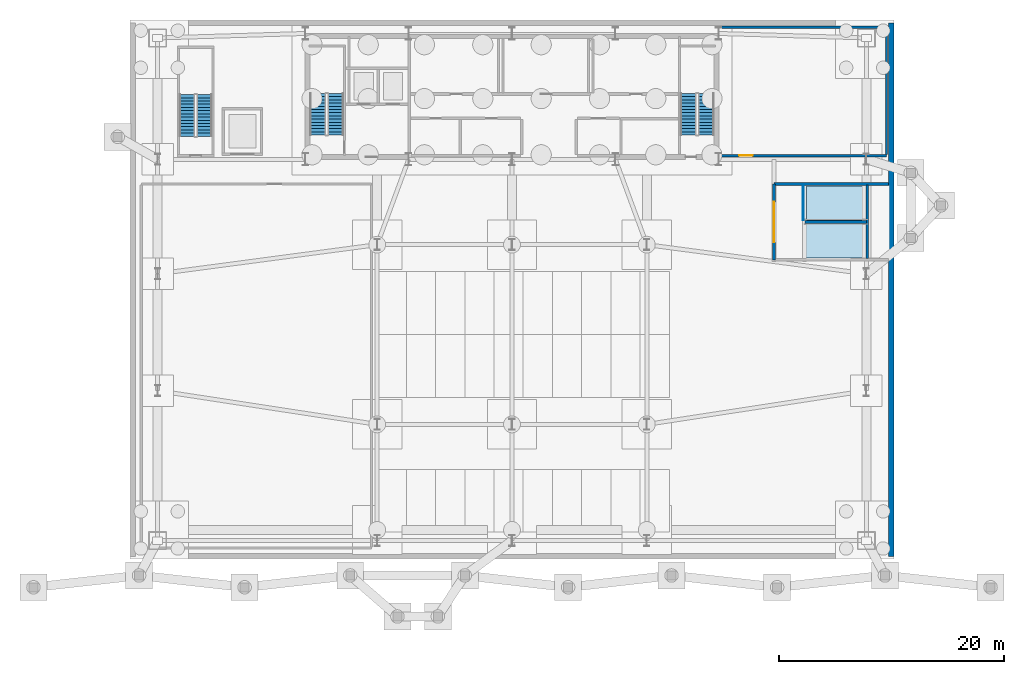
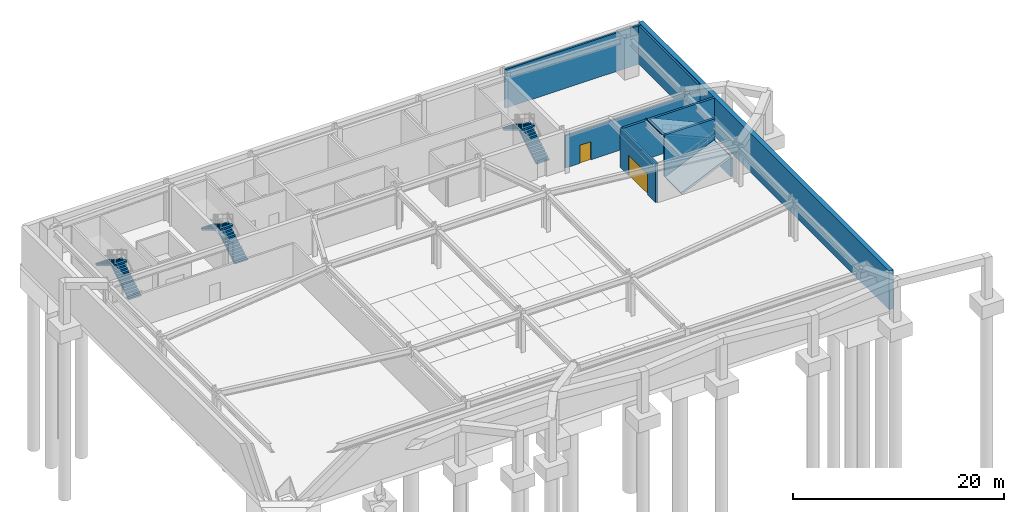
# One storey, part 8 of 12: 8 walls, 6 stair flights, 2 doors, 2 slabs, 1 ramp, 2 openings, 3 elements without a shape of their own.
"""IFC4 building model written with IfcOpenShell, lengths in metres."""

from ifc_helpers import new_model, si_unit, direction, frame, frame_2d, origin, place, context, subcontext, project, spatial, polyline, rectangle, outline, extrude, source, transform, mapped, material, layer, layer_set, type_object, type_shapes, element, fill, aggregate, save


model = new_model("IFC4")

# Units and contexts
model_context = context("Model", 3, precision=1e-05, world=origin(), true_north=direction((0.0, 1.0)))
body_context = subcontext(model_context, "Body", "Model", "MODEL_VIEW")
ifc_project = project(units=[si_unit("LENGTHUNIT", "METRE"), si_unit("AREAUNIT", "SQUARE_METRE"), si_unit("VOLUMEUNIT", "CUBIC_METRE"), si_unit("PLANEANGLEUNIT", "RADIAN"), si_unit("MASSUNIT", "GRAM", prefix="KILO")], contexts=[model_context])

# Slab
ifc_material_1 = material(Name="Concrete CSA A23.3 C40/50", Category="concrete")
ifc_layer_1 = layer(ifc_material_1, 0.25, Name="Concrete CSA A23.3 C40/50")
ifc_layer_set_1 = layer_set([ifc_layer_1], Name="Concrete CSA A23.3 C40/50")
slab_type = type_object("IfcSlabType", Name="Slab_VehicleRampB2", PredefinedType="FLOOR", material=ifc_layer_set_1)
site_placement = place(None, origin())
building_placement = place(site_placement, origin())
storey_placement = place(building_placement, frame((0.0, 0.0, -9.60009765625)))
slab_1_placement = place(storey_placement, frame((60.199951171875, 30.159912109375, 4.800048828125), z_axis=(0.408644061443, 0.0, 0.912693832042), x_axis=(0.0, 1.0, 0.0)))
slab_1 = element("IfcSlab", 1, at=slab_1_placement, type_object=slab_type, Name="B2 Vehicle Ramp Upper Structural Slab", PredefinedType="FLOOR", context=body_context, shape_type="SweptSolid", body=[
    extrude(outline(polyline([(0.0, 0.0), (0.255126953125, 0.0), (0.510009765625, 0.0), (0.76513671875, 0.0), (1.02001953125, 0.0), (1.275146484375, 0.0), (1.530029296875, 0.0), (1.78515625, 0.0), (2.0400390625, 0.0), (2.295166015625, 0.0), (2.550048828125, 0.0), (2.80517578125, 0.0), (3.06005859375, 0.0), (3.06005859375, -5.87284282384402), (2.80517578125, -5.87284282384402), (2.550048828125, -5.87284282384402), (2.295166015625, -5.87284282384402), (2.0400390625, -5.87284282384402), (1.78515625, -5.87284282384402), (1.530029296875, -5.87284282384402), (1.275146484375, -5.87284282384402), (1.02001953125, -5.87284282384402), (0.76513671875, -5.87284282384402), (0.510009765625, -5.87284282384402), (0.255126953125, -5.87284282384402), (0.0, -5.87284282384402), (0.0, 0.0)])), origin(), (0.0, 0.0, -1.0), 0.25),
])

slab_2_placement = place(storey_placement, frame((65.4599609375, 26.820068359375, 2.400146484375), z_axis=(-0.408694195683, 0.0, 0.912671383585), x_axis=(0.0, 1.0, 0.0)))
slab_2 = element("IfcSlab", 2, at=slab_2_placement, type_object=slab_type, Name="B2 Vehicle Ramp Lower Structural Slab", PredefinedType="FLOOR", context=body_context, shape_type="SweptSolid", body=[
    extrude(outline(polyline([(0.0, 0.0), (0.2548828125, 0.0), (0.510009765625, 0.0), (0.764892578125, 0.0), (1.02001953125, 0.0), (1.27490234375, 0.0), (1.530029296875, 0.0), (1.784912109375, 0.0), (2.0400390625, 0.0), (2.294921875, 0.0), (2.550048828125, 0.0), (2.804931640625, 0.0), (3.059814453125, 0.0), (3.059814453125, 5.872719773678094), (2.804931640625, 5.872719773678094), (2.550048828125, 5.872719773678094), (2.294921875, 5.872719773678094), (2.0400390625, 5.872719773678094), (1.784912109375, 5.872719773678094), (1.530029296875, 5.872719773678094), (1.27490234375, 5.872719773678094), (1.02001953125, 5.872719773678094), (0.764892578125, 5.872719773678094), (0.510009765625, 5.872719773678094), (0.2548828125, 5.872719773678094), (0.0, 5.872719773678094), (0.0, 0.0)])), origin(), (0.0, 0.0, -1.0), 0.25),
])

# Site, building, storey
site = spatial("IfcSite", under=ifc_project, at=site_placement, CompositionType="ELEMENT")
building = spatial("IfcBuilding", under=site, at=building_placement, Name="Varnel Quay Broadcast Tower", CompositionType="ELEMENT")
storey = spatial("IfcBuildingStorey", under=building, at=storey_placement, Name="B2", CompositionType="ELEMENT", Elevation=-9.60009765625)

# Walls
ifc_material_2 = material(Name="Concrete CSA A23.3 C50/60", Category="concrete")
ifc_layer_2 = layer(ifc_material_2, 0.5, Name="Concrete CSA A23.3 C50/60")
ifc_layer_set_2 = layer_set([ifc_layer_2], Name="Concrete CSA A23.3 C50/60")
wall_type_1 = type_object("IfcWallType", Name="Wall_BasementRetaining500", PredefinedType="USERDEFINED", material=ifc_layer_set_2)
wall_1_placement = place(storey_placement, frame((67.75, 0.25, 0.0), z_axis=(0.0, 0.0, 1.0), x_axis=(0.0, 1.0, 0.0)))
element("IfcWall", 3, at=wall_1_placement, inside=storey, type_object=wall_type_1, Name="B2 Perimeter Retaining Wall E", ObjectType="RETAININGWALL", PredefinedType="USERDEFINED", context=body_context, shape_type="SweptSolid", body=[
    extrude(rectangle(XDim=47.5, YDim=0.5, at=frame_2d((23.75, 0.0))), origin(), (0.0, 0.0, 1.0), 4.47998046875),
])
ifc_layer_3 = layer(ifc_material_2, 0.25, Name="Concrete CSA A23.3 C50/60")
ifc_layer_set_3 = layer_set([ifc_layer_3], Name="Concrete CSA A23.3 C50/60")
wall_type_2 = type_object("IfcWallType", Name="Wall_CoreShaftShear250", PredefinedType="SHEAR", material=ifc_layer_set_3)
wall_2_placement = place(storey_placement, frame((57.320068359375, 33.39990234375, 0.0), z_axis=(0.0, 0.0, 1.0), x_axis=(1.0, 0.0, 0.0)))
element("IfcWall", 4, at=wall_2_placement, inside=storey, type_object=wall_type_2, Name="B2 Vehicle Ramp Structural Enclosure Wall N", PredefinedType="SHEAR", context=body_context, shape_type="SweptSolid", body=[
    extrude(rectangle(XDim=10.179931640625, YDim=0.25, at=frame_2d((5.08984375, 0.0))), origin(), (0.0, 0.0, 1.0), 4.47998046875),
])
wall_3_placement = place(storey_placement, frame((60.080078125, 30.02001953125, 0.0), z_axis=(0.0, 0.0, 1.0), x_axis=(1.0, 0.0, 0.0)))
element("IfcWall", 5, at=wall_3_placement, inside=storey, type_object=wall_type_2, Name="B2 Vehicle Ramp Structural Enclosure Wall DIV", PredefinedType="SHEAR", context=body_context, shape_type="SweptSolid", body=[
    extrude(rectangle(XDim=5.47998046875, YDim=0.25, at=frame_2d((2.739990234375, 0.0))), origin(), (0.0, 0.0, 1.0), 4.800048828125),
])

# Wall, opening, door
wall_4_placement = place(storey_placement, frame((57.320068359375, 26.64990234375, 0.0), z_axis=(0.0, 0.0, 1.0), x_axis=(0.0, 1.0, 0.0)))
wall_4 = element("IfcWall", 6, at=wall_4_placement, inside=storey, type_object=wall_type_2, Name="B2 Vehicle Ramp West Portal Wall", PredefinedType="SHEAR", context=body_context, shape_type="SweptSolid", body=[
    extrude(rectangle(XDim=6.75, YDim=0.25, at=frame_2d((3.375, 0.0))), origin(), (0.0, 0.0, 1.0), 4.47998046875),
])
opening_1_placement = place(wall_4_placement, frame((1.550048828125, 0.0, 0.0)))
opening_1 = element("IfcOpeningElement", 7, at=opening_1_placement, cuts=wall_4, Name="Opening GT-B2A", PredefinedType="OPENING", context=body_context, shape_type="SweptSolid", body=[
    extrude(rectangle(XDim=3.60009765625, YDim=2.35009765625, at=frame_2d((1.800048828125, 1.175048828125))), frame((0.0, 0.135009765625, 0.0), z_axis=(0.0, -1.0, 0.0), x_axis=(1.0, 0.0, 0.0)), (0.0, 0.0, 1.0), 0.27001953125),
])
ifc_material_3 = material(Name="Galvanised Steel Parking Shutter Assembly", Category="steel")
door_type_1 = type_object("IfcDoorType", Name="Gate_BasementRamp3600", OperationType="ROLLINGUP", PredefinedType="GATE", material=ifc_material_3)
shared_shape_1 = source(origin(), body_context, "Body", "SweptSolid", [
    extrude(rectangle(XDim=3.60009765625, YDim=2.35009765625, at=frame_2d((1.800048828125, 1.175048828125))), frame((0.0, 0.02490234375, 0.0), z_axis=(0.0, -1.0, 0.0), x_axis=(1.0, 0.0, 0.0)), (0.0, 0.0, 1.0), 0.050048828125),
])
type_shapes(door_type_1, [shared_shape_1])
door_1_placement = place(opening_1_placement, frame((3.60009765625, 0.0, 0.0), z_axis=(0.0, 0.0, 1.0), x_axis=(-1.0, 0.0, 0.0)))
door_1 = element("IfcDoor", 8, at=door_1_placement, inside=storey, type_object=door_type_1, Name="B2 Vehicle Ramp Shutter Gate", OperationType="ROLLINGUP", OverallHeight=2.35009765625, OverallWidth=3.60009765625, PredefinedType="GATE", context=body_context, shape_type="MappedRepresentation", body=[
    mapped(shared_shape_1, transform((0.0, 0.0, 0.0), x_axis=(1.0, 0.0, 0.0), y_axis=(0.0, 1.0, 0.0), z_axis=(0.0, 0.0, 1.0), scale=1.0)),
])
fill(opening_1, door_1)

# Wall
wall_5_placement = place(storey_placement, frame((65.6201171875, 26.75, 0.0), z_axis=(0.0, 0.0, 1.0), x_axis=(0.0, 1.0, 0.0)))
element("IfcWall", 9, at=wall_5_placement, inside=storey, type_object=wall_type_2, Name="B2 Vehicle Ramp Mid-Landing Support Wall", PredefinedType="SHEAR", context=body_context, shape_type="SweptSolid", body=[
    extrude(rectangle(XDim=6.550048828125, YDim=0.25, at=frame_2d((3.27490234375, 0.0))), origin(), (0.0, 0.0, 1.0), 2.10009765625),
])

# Wall, opening, door
ifc_material_4 = material(Name="Concrete Blockwork Fire Enclosure C40/50", Category="masonry")
ifc_layer_4 = layer(ifc_material_4, 0.199951171875, Name="Concrete Blockwork Fire Enclosure C40/50")
ifc_layer_set_4 = layer_set([ifc_layer_4], Name="Concrete Blockwork Fire Enclosure C40/50")
wall_type_3 = type_object("IfcWallType", Name="Wall_FireShaft200", PredefinedType="SOLIDWALL", material=ifc_layer_set_4)
wall_6_placement = place(storey_placement, frame((52.64990234375, 35.925048828125, 0.0), z_axis=(0.0, 0.0, 1.0), x_axis=(1.0, 0.0, 0.0)))
wall_6 = element("IfcWall", 10, at=wall_6_placement, inside=storey, type_object=wall_type_3, Name="B2 Broadcast Rotary UPS & Battery Plant Room Partition 12", PredefinedType="SOLIDWALL", context=body_context, shape_type="SweptSolid", body=[
    extrude(rectangle(XDim=14.7001953125, YDim=0.199951171875, at=frame_2d((7.35009765625, 0.0))), origin(), (0.0, 0.0, 1.0), 3.760009765625),
])
opening_2_placement = place(wall_6_placement, frame((1.574951171875, 0.0, 0.0)))
opening_2 = element("IfcOpeningElement", 11, at=opening_2_placement, cuts=wall_6, Name="Opening D-B2-05", PredefinedType="OPENING", context=body_context, shape_type="SweptSolid", body=[
    extrude(rectangle(XDim=1.199951171875, YDim=2.10009765625, at=frame_2d((0.60009765625, 1.050048828125))), frame((0.0, 0.10986328125, 0.0), z_axis=(0.0, -1.0, 0.0), x_axis=(1.0, 0.0, 0.0)), (0.0, 0.0, 1.0), 0.219970703125),
])
ifc_material_5 = material(Name="Insulated Fire-Rated Hollow Steel Door", Category="steel")
door_type_2 = type_object("IfcDoorType", Name="Door_Plant1200", OperationType="NOTDEFINED", PredefinedType="DOOR", material=ifc_material_5)
shared_shape_2 = source(origin(), body_context, "Body", "SweptSolid", [
    extrude(rectangle(XDim=1.199951171875, YDim=2.10009765625, at=frame_2d((0.60009765625, 1.050048828125))), frame((0.0, 0.02490234375, 0.0), z_axis=(0.0, -1.0, 0.0), x_axis=(1.0, 0.0, 0.0)), (0.0, 0.0, 1.0), 0.050048828125),
])
type_shapes(door_type_2, [shared_shape_2])
door_2_placement = place(opening_2_placement, frame((1.199951171875, 0.0, 0.0), z_axis=(0.0, 0.0, 1.0), x_axis=(-1.0, 0.0, 0.0)))
door_2 = element("IfcDoor", 12, at=door_2_placement, inside=storey, type_object=door_type_2, Name="B2 Broadcast Rotary UPS & Battery Plant Room Door D-B2-05", OperationType="SINGLE_SWING_RIGHT", OverallHeight=2.10009765625, OverallWidth=1.199951171875, PredefinedType="DOOR", context=body_context, shape_type="MappedRepresentation", body=[
    mapped(shared_shape_2, transform((0.0, 0.0, 0.0), x_axis=(1.0, 0.0, 0.0), y_axis=(0.0, 1.0, 0.0), z_axis=(0.0, 0.0, 1.0), scale=1.0)),
])
fill(opening_2, door_2)

# Walls
wall_7_placement = place(storey_placement, frame((67.35009765625, 36.02490234375, 0.0), z_axis=(0.0, 0.0, 1.0), x_axis=(0.0, 1.0, 0.0)))
element("IfcWall", 13, at=wall_7_placement, inside=storey, type_object=wall_type_3, Name="B2 Broadcast Rotary UPS & Battery Plant Room Partition 13", PredefinedType="SOLIDWALL", context=body_context, shape_type="SweptSolid", body=[
    extrude(rectangle(XDim=11.22509765625, YDim=0.199951171875, at=frame_2d((5.612548828125, 0.0))), origin(), (0.0, 0.0, 1.0), 4.460205078125),
])
wall_8_placement = place(storey_placement, frame((52.64990234375, 47.35009765625, 0.0), z_axis=(0.0, 0.0, 1.0), x_axis=(1.0, 0.0, 0.0)))
element("IfcWall", 14, at=wall_8_placement, inside=storey, type_object=wall_type_3, Name="B2 Broadcast Rotary UPS & Battery Plant Room Partition 14", PredefinedType="SOLIDWALL", context=body_context, shape_type="SweptSolid", body=[
    extrude(rectangle(XDim=14.7001953125, YDim=0.199951171875, at=frame_2d((7.35009765625, 0.0))), origin(), (0.0, 0.0, 1.0), 4.460205078125),
])

# Stair, stair flights
ifc_material_6 = material(Name="Precast Structural Concrete C40/50", Category="concrete")
stair_type_1 = type_object("IfcStairType", Name="Stair_ST-01", PredefinedType="HALF_TURN_STAIR", material=ifc_material_6)
stair_1_placement = place(storey_placement, origin())
stair_1 = element("IfcStair", 15, at=stair_1_placement, inside=storey, type_object=stair_type_1, Name="B2 West Core Exit Stair 1", PredefinedType="HALF_TURN_STAIR")
stair_flight_type_1 = type_object("IfcStairFlightType", Name="Flight_ST-01", PredefinedType="STRAIGHT", material=ifc_material_6)
stair_flight_1_placement = place(storey_placement, frame((18.300048828125, 37.75, 0.0), z_axis=(0.0, 0.0, 1.0), x_axis=(0.0, 1.0, 0.0)))
stair_flight_1 = element("IfcStairFlight", 16, at=stair_flight_1_placement, type_object=stair_flight_type_1, Name="ST-01 flight 1", NumberOfRisers=14, NumberOfTreads=13, PredefinedType="STRAIGHT", RiserHeight=0.171428571, TreadLength=0.285, context=body_context, shape_type="SweptSolid", body=[
    extrude(outline(polyline([(0.0, 0.0), (0.0, 0.17138671875), (0.284912109375, 0.17138671875), (0.284912109375, 0.3427734375), (0.570068359375, 0.3427734375), (0.570068359375, 0.514404296875), (0.85498046875, 0.514404296875), (0.85498046875, 0.685791015625), (1.139892578125, 0.685791015625), (1.139892578125, 0.857177734375), (1.425048828125, 0.857177734375), (1.425048828125, 1.028564453125), (1.7099609375, 1.028564453125), (1.7099609375, 1.199951171875), (1.9951171875, 1.199951171875), (1.9951171875, 1.371337890625), (2.280029296875, 1.371337890625), (2.280029296875, 1.54296875), (2.56494140625, 1.54296875), (2.56494140625, 1.71435546875), (2.85009765625, 1.71435546875), (2.85009765625, 1.8857421875), (3.135009765625, 1.8857421875), (3.135009765625, 2.05712890625), (3.419921875, 2.05712890625), (3.419921875, 2.228515625), (3.705078125, 2.228515625), (3.705078125, 2.39990234375), (3.705078125, 2.0537109375), (0.290771484375, 0.0), (0.0, 0.0)])), frame((0.0, 0.699951171875, 0.0), z_axis=(0.0, -1.0, 0.0), x_axis=(1.0, 0.0, 0.0)), (0.0, 0.0, 1.0), 1.39990234375),
])
stair_flight_2_placement = place(storey_placement, frame((16.699951171875, 41.455078125, 2.400146484375), z_axis=(0.0, 0.0, 1.0), x_axis=(0.0, -1.0, 0.0)))
stair_flight_2 = element("IfcStairFlight", 17, at=stair_flight_2_placement, type_object=stair_flight_type_1, Name="ST-01 flight 2", NumberOfRisers=14, NumberOfTreads=13, PredefinedType="STRAIGHT", RiserHeight=0.171428571, TreadLength=0.285, context=body_context, shape_type="SweptSolid", body=[
    extrude(outline(polyline([(0.0, 0.0), (0.0, 0.17138671875), (0.284912109375, 0.17138671875), (0.284912109375, 0.3427734375), (0.570068359375, 0.3427734375), (0.570068359375, 0.514404296875), (0.85498046875, 0.514404296875), (0.85498046875, 0.685791015625), (1.139892578125, 0.685791015625), (1.139892578125, 0.857177734375), (1.425048828125, 0.857177734375), (1.425048828125, 1.028564453125), (1.7099609375, 1.028564453125), (1.7099609375, 1.199951171875), (1.9951171875, 1.199951171875), (1.9951171875, 1.371337890625), (2.280029296875, 1.371337890625), (2.280029296875, 1.54296875), (2.56494140625, 1.54296875), (2.56494140625, 1.71435546875), (2.85009765625, 1.71435546875), (2.85009765625, 1.8857421875), (3.135009765625, 1.8857421875), (3.135009765625, 2.05712890625), (3.419921875, 2.05712890625), (3.419921875, 2.228515625), (3.705078125, 2.228515625), (3.705078125, 2.39990234375), (3.705078125, 2.0537109375), (0.290771484375, 0.0), (0.0, 0.0)])), frame((0.0, 0.699951171875, 0.0), z_axis=(0.0, -1.0, 0.0), x_axis=(1.0, 0.0, 0.0)), (0.0, 0.0, 1.0), 1.39990234375),
])
aggregate(stair_1, [stair_flight_1, stair_flight_2])

stair_type_2 = type_object("IfcStairType", Name="Stair_ST-02", PredefinedType="HALF_TURN_STAIR", material=ifc_material_6)
stair_2_placement = place(storey_placement, origin())
stair_2 = element("IfcStair", 18, at=stair_2_placement, inside=storey, type_object=stair_type_2, Name="B2 East Core Exit Stair 2", PredefinedType="HALF_TURN_STAIR")
stair_flight_type_2 = type_object("IfcStairFlightType", Name="Flight_ST-02", PredefinedType="STRAIGHT", material=ifc_material_6)
stair_flight_3_placement = place(storey_placement, frame((51.300048828125, 37.75, 0.0), z_axis=(0.0, 0.0, 1.0), x_axis=(0.0, 1.0, 0.0)))
stair_flight_3 = element("IfcStairFlight", 19, at=stair_flight_3_placement, type_object=stair_flight_type_2, Name="ST-02 flight 1", NumberOfRisers=14, NumberOfTreads=13, PredefinedType="STRAIGHT", RiserHeight=0.171428571, TreadLength=0.285, context=body_context, shape_type="SweptSolid", body=[
    extrude(outline(polyline([(0.0, 0.0), (0.0, 0.17138671875), (0.284912109375, 0.17138671875), (0.284912109375, 0.3427734375), (0.570068359375, 0.3427734375), (0.570068359375, 0.514404296875), (0.85498046875, 0.514404296875), (0.85498046875, 0.685791015625), (1.139892578125, 0.685791015625), (1.139892578125, 0.857177734375), (1.425048828125, 0.857177734375), (1.425048828125, 1.028564453125), (1.7099609375, 1.028564453125), (1.7099609375, 1.199951171875), (1.9951171875, 1.199951171875), (1.9951171875, 1.371337890625), (2.280029296875, 1.371337890625), (2.280029296875, 1.54296875), (2.56494140625, 1.54296875), (2.56494140625, 1.71435546875), (2.85009765625, 1.71435546875), (2.85009765625, 1.8857421875), (3.135009765625, 1.8857421875), (3.135009765625, 2.05712890625), (3.419921875, 2.05712890625), (3.419921875, 2.228515625), (3.705078125, 2.228515625), (3.705078125, 2.39990234375), (3.705078125, 2.0537109375), (0.290771484375, 0.0), (0.0, 0.0)])), frame((0.0, 0.699951171875, 0.0), z_axis=(0.0, -1.0, 0.0), x_axis=(1.0, 0.0, 0.0)), (0.0, 0.0, 1.0), 1.39990234375),
])
stair_flight_4_placement = place(storey_placement, frame((49.699951171875, 41.455078125, 2.400146484375), z_axis=(0.0, 0.0, 1.0), x_axis=(0.0, -1.0, 0.0)))
stair_flight_4 = element("IfcStairFlight", 20, at=stair_flight_4_placement, type_object=stair_flight_type_2, Name="ST-02 flight 2", NumberOfRisers=14, NumberOfTreads=13, PredefinedType="STRAIGHT", RiserHeight=0.171428571, TreadLength=0.285, context=body_context, shape_type="SweptSolid", body=[
    extrude(outline(polyline([(0.0, 0.0), (0.0, 0.17138671875), (0.284912109375, 0.17138671875), (0.284912109375, 0.3427734375), (0.570068359375, 0.3427734375), (0.570068359375, 0.514404296875), (0.85498046875, 0.514404296875), (0.85498046875, 0.685791015625), (1.139892578125, 0.685791015625), (1.139892578125, 0.857177734375), (1.425048828125, 0.857177734375), (1.425048828125, 1.028564453125), (1.7099609375, 1.028564453125), (1.7099609375, 1.199951171875), (1.9951171875, 1.199951171875), (1.9951171875, 1.371337890625), (2.280029296875, 1.371337890625), (2.280029296875, 1.54296875), (2.56494140625, 1.54296875), (2.56494140625, 1.71435546875), (2.85009765625, 1.71435546875), (2.85009765625, 1.8857421875), (3.135009765625, 1.8857421875), (3.135009765625, 2.05712890625), (3.419921875, 2.05712890625), (3.419921875, 2.228515625), (3.705078125, 2.228515625), (3.705078125, 2.39990234375), (3.705078125, 2.0537109375), (0.290771484375, 0.0), (0.0, 0.0)])), frame((0.0, 0.699951171875, 0.0), z_axis=(0.0, -1.0, 0.0), x_axis=(1.0, 0.0, 0.0)), (0.0, 0.0, 1.0), 1.39990234375),
])
aggregate(stair_2, [stair_flight_3, stair_flight_4])

stair_type_3 = type_object("IfcStairType", Name="Stair_ST-03", PredefinedType="HALF_TURN_STAIR", material=ifc_material_6)
stair_3_placement = place(storey_placement, origin())
stair_3 = element("IfcStair", 21, at=stair_3_placement, inside=storey, type_object=stair_type_3, Name="B2 Podium Studio Exit Stair 3", PredefinedType="HALF_TURN_STAIR")
stair_flight_type_3 = type_object("IfcStairFlightType", Name="Flight_ST-03", PredefinedType="STRAIGHT", material=ifc_material_6)
stair_flight_5_placement = place(storey_placement, frame((6.625, 37.64990234375, 0.0), z_axis=(0.0, 0.0, 1.0), x_axis=(0.0, 1.0, 0.0)))
stair_flight_5 = element("IfcStairFlight", 22, at=stair_flight_5_placement, type_object=stair_flight_type_3, Name="ST-03 flight 1", NumberOfRisers=14, NumberOfTreads=13, PredefinedType="STRAIGHT", RiserHeight=0.171428571, TreadLength=0.285, context=body_context, shape_type="SweptSolid", body=[
    extrude(outline(polyline([(0.0, 0.0), (0.0, 0.17138671875), (0.284912109375, 0.17138671875), (0.284912109375, 0.3427734375), (0.570068359375, 0.3427734375), (0.570068359375, 0.514404296875), (0.85498046875, 0.514404296875), (0.85498046875, 0.685791015625), (1.139892578125, 0.685791015625), (1.139892578125, 0.857177734375), (1.425048828125, 0.857177734375), (1.425048828125, 1.028564453125), (1.7099609375, 1.028564453125), (1.7099609375, 1.199951171875), (1.9951171875, 1.199951171875), (1.9951171875, 1.371337890625), (2.280029296875, 1.371337890625), (2.280029296875, 1.54296875), (2.56494140625, 1.54296875), (2.56494140625, 1.71435546875), (2.85009765625, 1.71435546875), (2.85009765625, 1.8857421875), (3.135009765625, 1.8857421875), (3.135009765625, 2.05712890625), (3.419921875, 2.05712890625), (3.419921875, 2.228515625), (3.705078125, 2.228515625), (3.705078125, 2.39990234375), (3.705078125, 2.0537109375), (0.290771484375, 0.0), (0.0, 0.0)])), frame((0.0, 0.675048828125, 0.0), z_axis=(0.0, -1.0, 0.0), x_axis=(1.0, 0.0, 0.0)), (0.0, 0.0, 1.0), 1.35009765625),
])
stair_flight_6_placement = place(storey_placement, frame((5.074951171875, 41.35498046875, 2.400146484375), z_axis=(0.0, 0.0, 1.0), x_axis=(0.0, -1.0, 0.0)))
stair_flight_6 = element("IfcStairFlight", 23, at=stair_flight_6_placement, type_object=stair_flight_type_3, Name="ST-03 flight 2", NumberOfRisers=14, NumberOfTreads=13, PredefinedType="STRAIGHT", RiserHeight=0.171428571, TreadLength=0.285, context=body_context, shape_type="SweptSolid", body=[
    extrude(outline(polyline([(0.0, 0.0), (0.0, 0.17138671875), (0.284912109375, 0.17138671875), (0.284912109375, 0.3427734375), (0.570068359375, 0.3427734375), (0.570068359375, 0.514404296875), (0.85498046875, 0.514404296875), (0.85498046875, 0.685791015625), (1.139892578125, 0.685791015625), (1.139892578125, 0.857177734375), (1.425048828125, 0.857177734375), (1.425048828125, 1.028564453125), (1.7099609375, 1.028564453125), (1.7099609375, 1.199951171875), (1.9951171875, 1.199951171875), (1.9951171875, 1.371337890625), (2.280029296875, 1.371337890625), (2.280029296875, 1.54296875), (2.56494140625, 1.54296875), (2.56494140625, 1.71435546875), (2.85009765625, 1.71435546875), (2.85009765625, 1.8857421875), (3.135009765625, 1.8857421875), (3.135009765625, 2.05712890625), (3.419921875, 2.05712890625), (3.419921875, 2.228515625), (3.705078125, 2.228515625), (3.705078125, 2.39990234375), (3.705078125, 2.0537109375), (0.290771484375, 0.0), (0.0, 0.0)])), frame((0.0, 0.675048828125, 0.0), z_axis=(0.0, -1.0, 0.0), x_axis=(1.0, 0.0, 0.0)), (0.0, 0.0, 1.0), 1.35009765625),
])
aggregate(stair_3, [stair_flight_5, stair_flight_6])

# Ramp
ramp_type = type_object("IfcRampType", Name="Ramp_VehicleB2", PredefinedType="STRAIGHT_RUN_RAMP", material=ifc_material_1)
ramp_placement = place(storey_placement, frame((0.0, 0.0, 4.75)))
ramp = element("IfcRamp", 24, at=ramp_placement, inside=storey, type_object=ramp_type, Name="B2 Vehicle Circulation Ramp", PredefinedType="STRAIGHT_RUN_RAMP", context=body_context, shape_type="SweptSolid", body=[
    extrude(outline(polyline([(59.89990234375, 30.159912109375), (59.9599609375, 30.159912109375), (59.9599609375, 33.219970703125), (59.89990234375, 33.219970703125), (59.89990234375, 30.159912109375)])), origin(), (0.0, 0.0, 1.0), 0.050048828125),
])

aggregate(ramp, [slab_1, slab_2])

save(model, "model.ifc")
